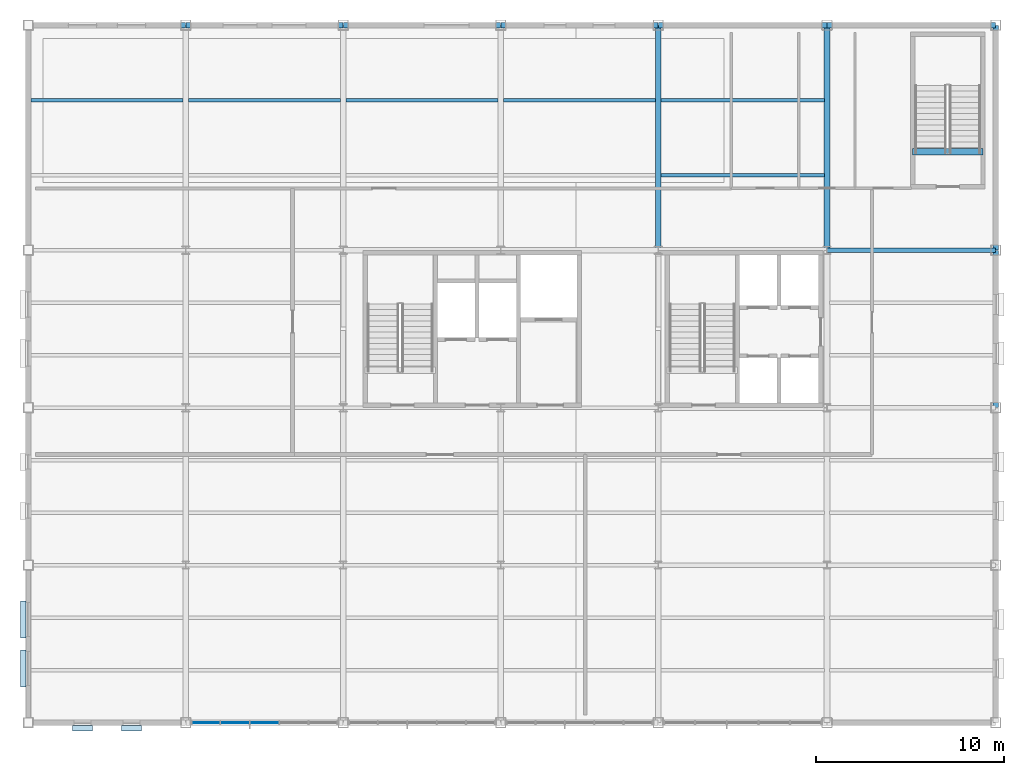
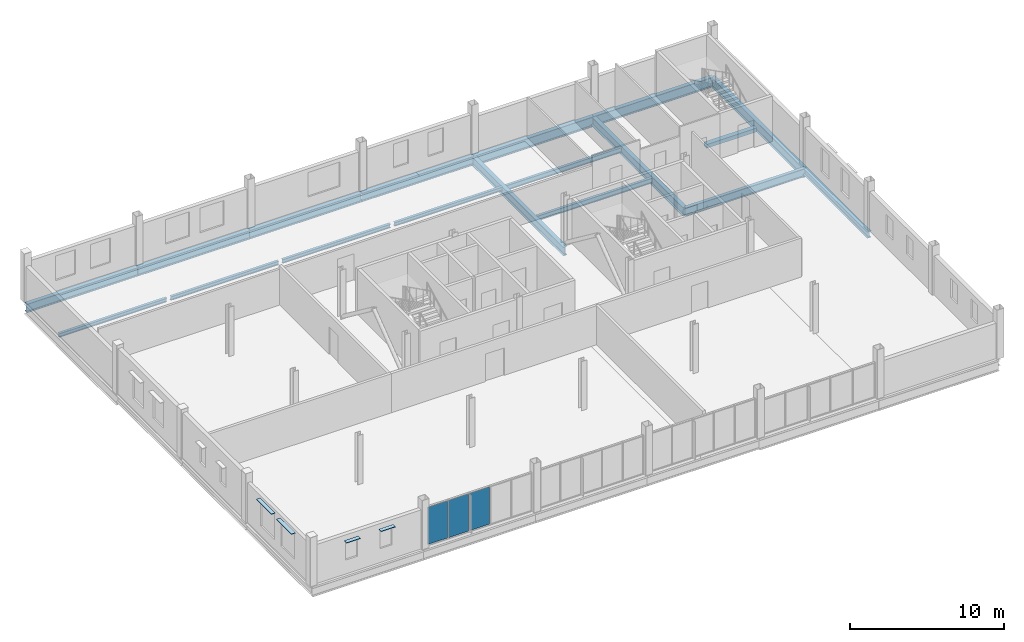
# One storey, part 8 of 17: 18 beams, 7 plates, 1 element without a shape of its own.
"""IFC4 building model written with IfcOpenShell, lengths in metres."""

from ifc_helpers import new_model, si_unit, direction, frame, origin, origin_2d, place, context, subcontext, project, spatial, rectangle, i_section, extrude, material, layer, layer_set, material_profile, profile_set, type_object, element, aggregate, save


model = new_model("IFC4")

# Units and contexts
model_context = context("Model", 3, precision=1e-05, world=origin(), true_north=direction((0.0, 1.0)))
body_context = subcontext(model_context, "Body", "Model", "MODEL_VIEW")
ifc_project = project(units=[si_unit("LENGTHUNIT", "METRE"), si_unit("AREAUNIT", "SQUARE_METRE"), si_unit("VOLUMEUNIT", "CUBIC_METRE"), si_unit("PLANEANGLEUNIT", "RADIAN"), si_unit("MASSUNIT", "GRAM", prefix="KILO")], contexts=[model_context])

# Site, building, storey
site_placement = place(None, origin())
site = spatial("IfcSite", under=ifc_project, at=site_placement, CompositionType="ELEMENT")
building_placement = place(site_placement, origin())
building = spatial("IfcBuilding", under=site, at=building_placement, Name="Yukiwa Park Conservatory and Herbarium", CompositionType="ELEMENT")
storey_placement = place(building_placement, frame((0.0, 0.0, 17.10009765625)))
storey = spatial("IfcBuildingStorey", under=building, at=storey_placement, Name="L04", CompositionType="ELEMENT", Elevation=17.10009765625)

# Beams
ifc_material_1 = material(Name="Steel Q355D", Category="steel")
ifc_material_profile_1 = material_profile(ifc_material_1, i_section(OverallWidth=0.25, OverallDepth=0.64990234375, WebThickness=0.011962890625, FlangeThickness=0.02001953125, FilletRadius=0.02392578125, at=origin_2d()), Name="HN 650x250x12x20")
ifc_profile_set_1 = profile_set([ifc_material_profile_1], Name="Steel Q355D")
beam_type_1 = type_object("IfcBeamType", Name="BM-GRD-HN650", PredefinedType="BEAM", material=ifc_profile_set_1)
beam_1_placement = place(storey_placement, frame((159.006103515625, 103.199951171875, -0.60498046875), z_axis=(1.0, 0.0, 0.0), x_axis=(0.0, 1.0, 0.0)))
element("IfcBeam", 1, at=beam_1_placement, inside=storey, type_object=beam_type_1, Name="L04 grid beam X-24", PredefinedType="BEAM", context=body_context, shape_type="SweptSolid", body=[
    extrude(i_section(OverallWidth=0.25, OverallDepth=0.64990234375, WebThickness=0.011962890625, FlangeThickness=0.02001953125, FilletRadius=0.02392578125, at=origin_2d()), origin(), (0.0, 0.0, 1.0), 8.98779296875),
])
ifc_material_2 = material(Name="Steel Q355D", Category="steel")
ifc_material_profile_2 = material_profile(ifc_material_2, i_section(OverallWidth=0.300048828125, OverallDepth=0.699951171875, WebThickness=0.012939453125, FlangeThickness=0.02392578125, FilletRadius=0.028076171875, at=origin_2d()), Name="HN 700x300x13x24")
ifc_profile_set_2 = profile_set([ifc_material_profile_2], Name="Steel Q355D")
beam_type_2 = type_object("IfcBeamType", Name="BM-GRD-HN700", PredefinedType="BEAM", material=ifc_profile_set_2)
for number, where, z_axis, x_axis, name in (
    (2, (150.0, 103.2060546875, -0.630126953125), (0.0, 1.0, 0.0), (-1.0, 0.0, 0.0), "L04 grid girder Y-49"),
    (3, (159.0, 103.2060546875, -0.630126953125), (0.0, 1.0, 0.0), (-1.0, 0.0, 0.0), "L04 grid girder Y-53"),
):
    element("IfcBeam", number, at=place(storey_placement, frame(where, z_axis=z_axis, x_axis=x_axis)), inside=storey, type_object=beam_type_2, Name=name, PredefinedType="BEAM", context=body_context, shape_type="SweptSolid", body=[
        extrude(i_section(OverallWidth=0.300048828125, OverallDepth=0.699951171875, WebThickness=0.012939453125, FlangeThickness=0.02392578125, FilletRadius=0.028076171875, at=origin_2d()), origin(), (0.0, 0.0, 1.0), 11.988037109375),
    ])
ifc_material_3 = material(Name="Steel Q355D", Category="steel")
ifc_material_profile_3 = material_profile(ifc_material_3, i_section(OverallWidth=0.199951171875, OverallDepth=0.300048828125, WebThickness=0.008056640625, FlangeThickness=0.011962890625, FilletRadius=0.01806640625, at=origin_2d()), Name="HM 300x200x8x12")
ifc_profile_set_3 = profile_set([ifc_material_profile_3], Name="Steel Q355D")
beam_type_3 = type_object("IfcBeamType", Name="BM-JST-HM300", PredefinedType="JOIST", material=ifc_profile_set_3)
beam_2_placement = place(storey_placement, frame((116.5458984375, 111.199951171875, -0.43017578125), z_axis=(1.0, 0.0, 0.0), x_axis=(0.0, 1.0, 0.0)))
element("IfcBeam", 4, at=beam_2_placement, inside=storey, type_object=beam_type_3, Name="L04 composite floor joist 8", PredefinedType="JOIST", context=body_context, shape_type="SweptSolid", body=[
    extrude(i_section(OverallWidth=0.199951171875, OverallDepth=0.300048828125, WebThickness=0.008056640625, FlangeThickness=0.011962890625, FilletRadius=0.01806640625, at=origin_2d()), origin(), (0.0, 0.0, 1.0), 8.108154296875),
])
beam_3_placement = place(storey_placement, frame((124.946044921875, 111.199951171875, -0.43017578125), z_axis=(1.0, 0.0, 0.0), x_axis=(0.0, 1.0, 0.0)))
element("IfcBeam", 5, at=beam_3_placement, inside=storey, type_object=beam_type_3, Name="L04 composite floor joist 16", PredefinedType="JOIST", context=body_context, shape_type="SweptSolid", body=[
    extrude(i_section(OverallWidth=0.199951171875, OverallDepth=0.300048828125, WebThickness=0.008056640625, FlangeThickness=0.011962890625, FilletRadius=0.01806640625, at=origin_2d()), origin(), (0.0, 0.0, 1.0), 8.10791015625),
])
beam_4_placement = place(storey_placement, frame((133.345947265625, 111.199951171875, -0.43017578125), z_axis=(1.0, 0.0, 0.0), x_axis=(0.0, 1.0, 0.0)))
element("IfcBeam", 6, at=beam_4_placement, inside=storey, type_object=beam_type_3, Name="L04 composite floor joist 22", PredefinedType="JOIST", context=body_context, shape_type="SweptSolid", body=[
    extrude(i_section(OverallWidth=0.199951171875, OverallDepth=0.300048828125, WebThickness=0.008056640625, FlangeThickness=0.011962890625, FilletRadius=0.01806640625, at=origin_2d()), origin(), (0.0, 0.0, 1.0), 8.108154296875),
])
beam_5_placement = place(storey_placement, frame((141.74609375, 111.199951171875, -0.43017578125), z_axis=(1.0, 0.0, 0.0), x_axis=(0.0, 1.0, 0.0)))
element("IfcBeam", 7, at=beam_5_placement, inside=storey, type_object=beam_type_3, Name="L04 composite floor joist 28", PredefinedType="JOIST", context=body_context, shape_type="SweptSolid", body=[
    extrude(i_section(OverallWidth=0.199951171875, OverallDepth=0.300048828125, WebThickness=0.008056640625, FlangeThickness=0.011962890625, FilletRadius=0.01806640625, at=origin_2d()), origin(), (0.0, 0.0, 1.0), 8.10791015625),
])
ifc_material_4 = material(Name="Steel Q355D", Category="steel")
ifc_material_profile_4 = material_profile(ifc_material_4, i_section(OverallWidth=0.198974609375, OverallDepth=0.39599609375, WebThickness=0.007080078125, FlangeThickness=0.010986328125, FilletRadius=0.01611328125, at=origin_2d()), Name="HN 396x199x7x11")
ifc_profile_set_4 = profile_set([ifc_material_profile_4], Name="Steel Q355D")
beam_type_4 = type_object("IfcBeamType", Name="BM-JST-HN396", PredefinedType="JOIST", material=ifc_profile_set_4)
for number, where, z_axis, x_axis, name in (
    (8, (150.14599609375, 107.199951171875, -0.47802734375), (1.0, 0.0, 0.0), (0.0, 1.0, 0.0), "L04 composite floor joist 33"),
    (9, (150.14599609375, 111.199951171875, -0.47802734375), (1.0, 0.0, 0.0), (0.0, 1.0, 0.0), "L04 composite floor joist 34"),
):
    element("IfcBeam", number, at=place(storey_placement, frame(where, z_axis=z_axis, x_axis=x_axis)), inside=storey, type_object=beam_type_4, Name=name, PredefinedType="JOIST", context=body_context, shape_type="SweptSolid", body=[
        extrude(i_section(OverallWidth=0.198974609375, OverallDepth=0.39599609375, WebThickness=0.007080078125, FlangeThickness=0.010986328125, FilletRadius=0.01611328125, at=origin_2d()), origin(), (0.0, 0.0, 1.0), 8.7080078125),
    ])
ifc_material_5 = material(Name="Steel Q355D", Category="steel")
ifc_material_profile_5 = material_profile(ifc_material_5, i_section(OverallWidth=0.300048828125, OverallDepth=0.5, WebThickness=0.010986328125, FlangeThickness=0.01806640625, FilletRadius=0.02392578125, at=origin_2d()), Name="HM 500x300x11x18")
ifc_profile_set_5 = profile_set([ifc_material_profile_5], Name="Steel Q355D")
beam_type_5 = type_object("IfcBeamType", Name="BM-SPN-HN500", PredefinedType="SPANDREL", material=ifc_profile_set_5)
beam_6_placement = place(storey_placement, frame((168.0, 94.805908203125, -0.530029296875), z_axis=(0.0, 1.0, 0.0), x_axis=(-1.0, 0.0, 0.0)))
element("IfcBeam", 10, at=beam_6_placement, inside=storey, type_object=beam_type_5, Name="L04 spandrel girder Y-56", PredefinedType="SPANDREL", context=body_context, shape_type="SweptSolid", body=[
    extrude(i_section(OverallWidth=0.300048828125, OverallDepth=0.5, WebThickness=0.010986328125, FlangeThickness=0.01806640625, FilletRadius=0.02392578125, at=origin_2d()), origin(), (0.0, 0.0, 1.0), 8.38818359375),
])
ifc_material_6 = material(Name="Steel Q355D", Category="steel")
ifc_material_profile_6 = material_profile(ifc_material_6, i_section(OverallWidth=0.300048828125, OverallDepth=0.69189453125, WebThickness=0.012939453125, FlangeThickness=0.02001953125, FilletRadius=0.028076171875, at=origin_2d()), Name="HN 692x300x13x20")
ifc_profile_set_6 = profile_set([ifc_material_profile_6], Name="Steel Q355D")
beam_type_6 = type_object("IfcBeamType", Name="BM-SPN-HN550", PredefinedType="SPANDREL", material=ifc_profile_set_6)
beam_7_placement = place(storey_placement, frame((116.406005859375, 115.199951171875, -0.6259765625), z_axis=(1.0, 0.0, 0.0), x_axis=(0.0, 1.0, 0.0)))
element("IfcBeam", 11, at=beam_7_placement, inside=storey, type_object=beam_type_6, Name="L04 spandrel beam X-25", PredefinedType="SPANDREL", context=body_context, shape_type="SweptSolid", body=[
    extrude(i_section(OverallWidth=0.300048828125, OverallDepth=0.69189453125, WebThickness=0.012939453125, FlangeThickness=0.02001953125, FilletRadius=0.028076171875, at=origin_2d()), origin(), (0.0, 0.0, 1.0), 8.387939453125),
])
beam_8_placement = place(storey_placement, frame((124.805908203125, 115.199951171875, -0.6259765625), z_axis=(1.0, 0.0, 0.0), x_axis=(0.0, 1.0, 0.0)))
element("IfcBeam", 12, at=beam_8_placement, inside=storey, type_object=beam_type_6, Name="L04 spandrel beam X-26", PredefinedType="SPANDREL", context=body_context, shape_type="SweptSolid", body=[
    extrude(i_section(OverallWidth=0.300048828125, OverallDepth=0.69189453125, WebThickness=0.012939453125, FlangeThickness=0.02001953125, FilletRadius=0.028076171875, at=origin_2d()), origin(), (0.0, 0.0, 1.0), 8.38818359375),
])
for number, where, z_axis, x_axis, name in (
    (13, (133.2060546875, 115.199951171875, -0.6259765625), (1.0, 0.0, 0.0), (0.0, 1.0, 0.0), "L04 spandrel beam X-27"),
    (14, (141.60595703125, 115.199951171875, -0.6259765625), (1.0, 0.0, 0.0), (0.0, 1.0, 0.0), "L04 spandrel beam X-28"),
):
    element("IfcBeam", number, at=place(storey_placement, frame(where, z_axis=z_axis, x_axis=x_axis)), inside=storey, type_object=beam_type_6, Name=name, PredefinedType="SPANDREL", context=body_context, shape_type="SweptSolid", body=[
        extrude(i_section(OverallWidth=0.300048828125, OverallDepth=0.69189453125, WebThickness=0.012939453125, FlangeThickness=0.02001953125, FilletRadius=0.028076171875, at=origin_2d()), origin(), (0.0, 0.0, 1.0), 8.387939453125),
    ])
ifc_material_7 = material(Name="Steel Q355D", Category="steel")
ifc_material_profile_7 = material_profile(ifc_material_7, i_section(OverallWidth=0.300048828125, OverallDepth=0.7919921875, WebThickness=0.013916015625, FlangeThickness=0.02197265625, FilletRadius=0.028076171875, at=origin_2d()), Name="HN 792x300x14x22")
ifc_profile_set_7 = profile_set([ifc_material_profile_7], Name="Steel Q355D")
beam_type_7 = type_object("IfcBeamType", Name="BM-SPN-HN600", PredefinedType="SPANDREL", material=ifc_profile_set_7)
for number, where, z_axis, x_axis, name in (
    (15, (150.006103515625, 115.199951171875, -0.676025390625), (1.0, 0.0, 0.0), (0.0, 1.0, 0.0), "L04 spandrel beam X-29"),
    (16, (159.006103515625, 115.199951171875, -0.676025390625), (1.0, 0.0, 0.0), (0.0, 1.0, 0.0), "L04 spandrel beam X-30"),
):
    element("IfcBeam", number, at=place(storey_placement, frame(where, z_axis=z_axis, x_axis=x_axis)), inside=storey, type_object=beam_type_7, Name=name, PredefinedType="SPANDREL", context=body_context, shape_type="SweptSolid", body=[
        extrude(i_section(OverallWidth=0.300048828125, OverallDepth=0.7919921875, WebThickness=0.013916015625, FlangeThickness=0.02197265625, FilletRadius=0.028076171875, at=origin_2d()), origin(), (0.0, 0.0, 1.0), 8.98779296875),
    ])
beam_9_placement = place(storey_placement, frame((168.0, 103.2060546875, -0.676025390625), z_axis=(0.0, 1.0, 0.0), x_axis=(-1.0, 0.0, 0.0)))
element("IfcBeam", 17, at=beam_9_placement, inside=storey, type_object=beam_type_7, Name="L04 spandrel girder Y-57", PredefinedType="SPANDREL", context=body_context, shape_type="SweptSolid", body=[
    extrude(i_section(OverallWidth=0.300048828125, OverallDepth=0.7919921875, WebThickness=0.013916015625, FlangeThickness=0.02197265625, FilletRadius=0.028076171875, at=origin_2d()), origin(), (0.0, 0.0, 1.0), 11.988037109375),
])
ifc_material_8 = material(Name="Concrete C40", Category="concrete")
ifc_material_profile_8 = material_profile(ifc_material_8, rectangle(XDim=0.35009765625, YDim=0.300048828125, at=origin_2d()), Name="RC 350x300")
ifc_profile_set_8 = profile_set([ifc_material_profile_8], Name="Concrete C40")
beam_type_8 = type_object("IfcBeamType", Name="BM-STAIR-TRIM", PredefinedType="BEAM", material=ifc_profile_set_8)
beam_10_placement = place(storey_placement, frame((163.570068359375, 108.4599609375, -0.150146484375), z_axis=(1.0, 0.0, 0.0), x_axis=(0.0, 1.0, 0.0)))
element("IfcBeam", 18, at=beam_10_placement, inside=storey, type_object=beam_type_8, Name="Stair ST-T3 L04 landing trimmer beam", PredefinedType="BEAM", context=body_context, shape_type="SweptSolid", body=[
    extrude(rectangle(XDim=0.35009765625, YDim=0.300048828125, at=origin_2d()), origin(), (0.0, 0.0, 1.0), 3.75),
])

# Curtain wall, plates
ifc_material_9 = material(Name="Triple Low-E Insulated Glass", Category="glass")
ifc_layer_1 = layer(ifc_material_9, 0.199951171875)
ifc_layer_set_1 = layer_set([ifc_layer_1], Name="Triple Low-E Insulated Glass")
curtain_wall_type = type_object("IfcCurtainWallType", Name="CW-VISITOR-1600", PredefinedType="NOTDEFINED", material=ifc_layer_set_1)
curtain_wall_placement = place(storey_placement, origin())
curtain_wall = element("IfcCurtainWall", 19, at=curtain_wall_placement, inside=storey, type_object=curtain_wall_type, Name="L04 unitised curtain wall CW-L04-072", PredefinedType="NOTDEFINED")
ifc_material_10 = material(Name="Triple Low-E Insulated Glass", Category="glass")
ifc_layer_2 = layer(ifc_material_10, 0.035888671875)
ifc_layer_set_2 = layer_set([ifc_layer_2], Name="Triple Low-E Insulated Glass")
plate_type_1 = type_object("IfcPlateType", Name="PL-CW-GLZ-36", PredefinedType="CURTAIN_PANEL", material=ifc_layer_set_2)
plate_1_placement = place(storey_placement, frame((125.860107421875, 78.0, 0.06982421875), z_axis=(0.0, 0.0, 1.0), x_axis=(1.0, 0.0, 0.0)))
plate_1 = element("IfcPlate", 20, at=plate_1_placement, type_object=plate_type_1, Name="CW-L04-072 vision panel 1.1", PredefinedType="CURTAIN_PANEL", context=body_context, shape_type="SweptSolid", body=[
    extrude(rectangle(XDim=1.5, YDim=0.035888671875, at=origin_2d()), origin(), (0.0, 0.0, 1.0), 2.9599609375),
])
plate_2_placement = place(storey_placement, frame((127.429931640625, 78.0, 0.06982421875), z_axis=(0.0, 0.0, 1.0), x_axis=(1.0, 0.0, 0.0)))
plate_2 = element("IfcPlate", 21, at=plate_2_placement, type_object=plate_type_1, Name="CW-L04-072 vision panel 2.1", PredefinedType="CURTAIN_PANEL", context=body_context, shape_type="SweptSolid", body=[
    extrude(rectangle(XDim=1.5, YDim=0.035888671875, at=origin_2d()), origin(), (0.0, 0.0, 1.0), 2.9599609375),
])
plate_3_placement = place(storey_placement, frame((129.0, 78.0, 0.06982421875), z_axis=(0.0, 0.0, 1.0), x_axis=(1.0, 0.0, 0.0)))
plate_3 = element("IfcPlate", 22, at=plate_3_placement, type_object=plate_type_1, Name="CW-L04-072 vision panel 3.1", PredefinedType="CURTAIN_PANEL", context=body_context, shape_type="SweptSolid", body=[
    extrude(rectangle(XDim=1.5, YDim=0.035888671875, at=origin_2d()), origin(), (0.0, 0.0, 1.0), 2.9599609375),
])
aggregate(curtain_wall, [plate_1, plate_2, plate_3])

# Plates
ifc_material_11 = material(Name="Anodised Aluminium", Category="aluminium")
ifc_layer_3 = layer(ifc_material_11, 0.0400390625)
ifc_layer_set_3 = layer_set([ifc_layer_3], Name="Anodised Aluminium")
plate_type_2 = type_object("IfcPlateType", Name="PL-SHADE-ALU-40", PredefinedType="SHEET", material=ifc_layer_set_3)
for number, where, z_axis, x_axis, name in (
    (23, (116.1298828125, 83.508056640625, 2.8798828125), (0.0, 0.0, 1.0), (0.0, -1.0, 0.0), "L04 snow-shedding window hood 142"),
    (24, (116.1298828125, 80.89208984375, 2.8798828125), (0.0, 0.0, 1.0), (0.0, -1.0, 0.0), "L04 snow-shedding window hood 143"),
):
    element("IfcPlate", number, at=place(storey_placement, frame(where, z_axis=z_axis, x_axis=x_axis)), inside=storey, type_object=plate_type_2, Name=name, PredefinedType="SHEET", context=body_context, shape_type="SweptSolid", body=[
        extrude(rectangle(XDim=1.9599609375, YDim=0.300048828125, at=origin_2d()), origin(), (0.0, 0.0, 1.0), 0.0400390625),
    ])
for number, where, z_axis, x_axis, name in (
    (25, (119.2919921875, 77.7099609375, 2.639892578125), (0.0, 0.0, 1.0), (1.0, 0.0, 0.0), "L04 snow-shedding window hood 144"),
    (26, (121.907958984375, 77.7099609375, 2.639892578125), (0.0, 0.0, 1.0), (1.0, 0.0, 0.0), "L04 snow-shedding window hood 145"),
):
    element("IfcPlate", number, at=place(storey_placement, frame(where, z_axis=z_axis, x_axis=x_axis)), inside=storey, type_object=plate_type_2, Name=name, PredefinedType="SHEET", context=body_context, shape_type="SweptSolid", body=[
        extrude(rectangle(XDim=1.06005859375, YDim=0.300048828125, at=origin_2d()), origin(), (0.0, 0.0, 1.0), 0.0400390625),
    ])

save(model, "model.ifc")
